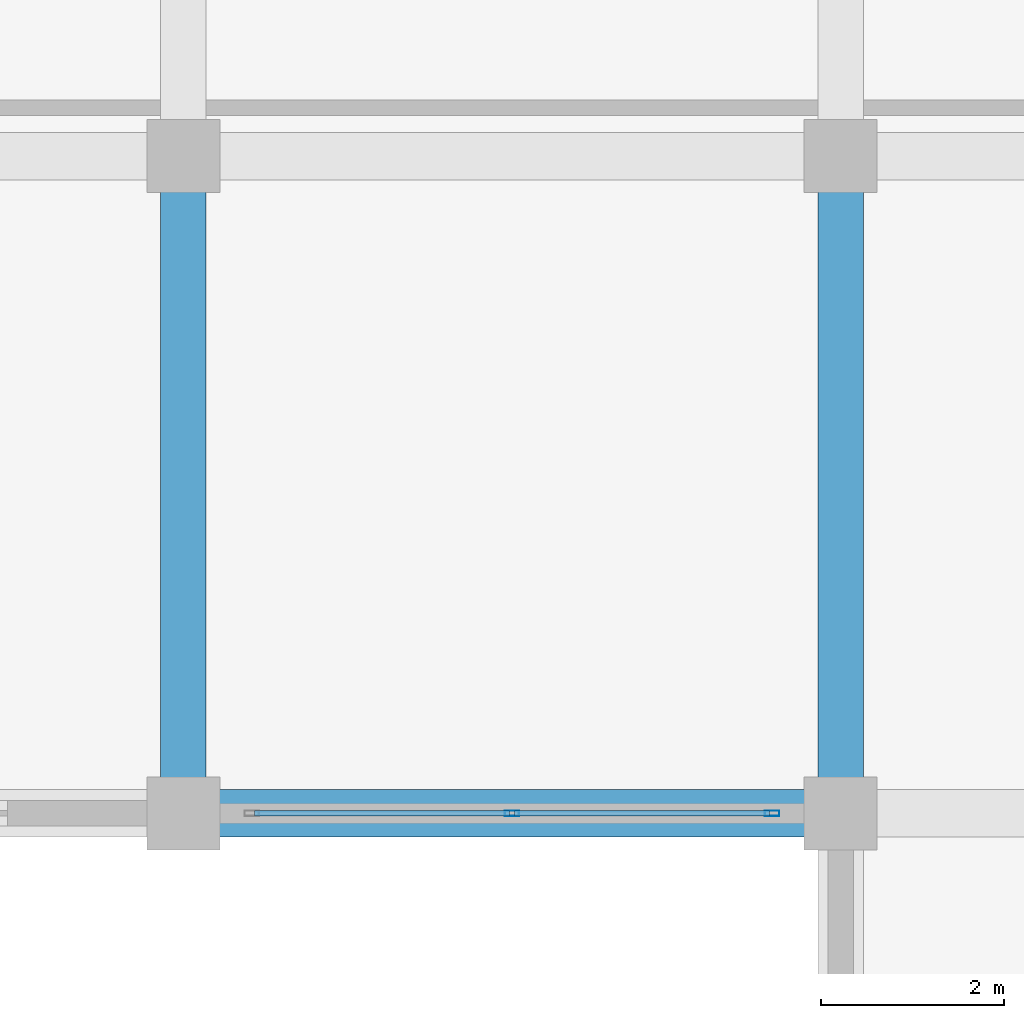
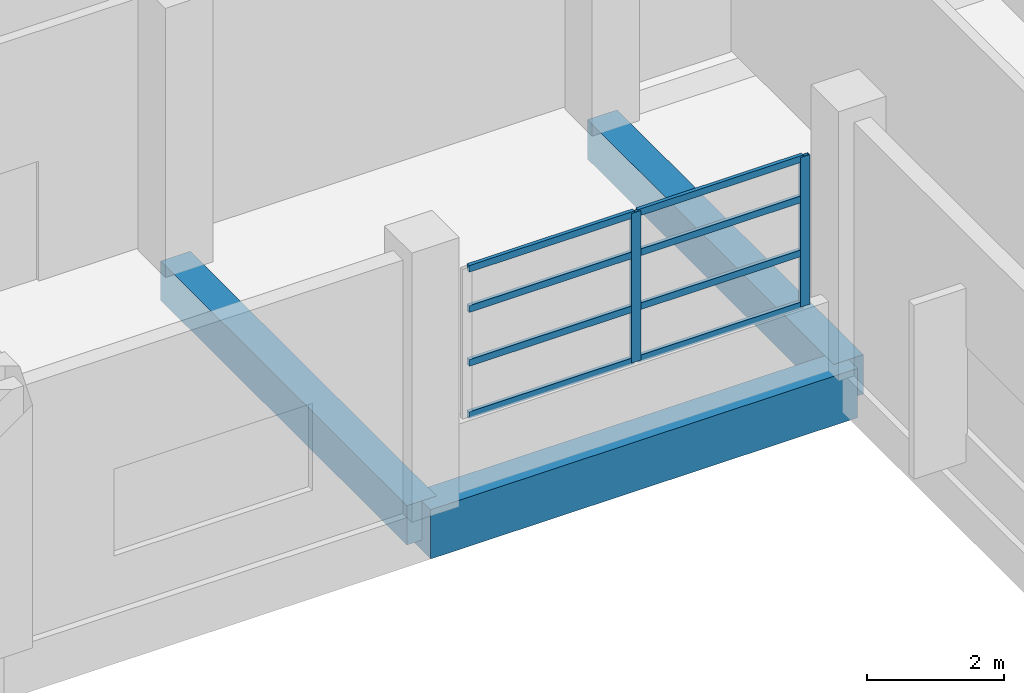
# One storey, part 69 of 140: 10 members, 3 beams, 1 element without a shape of its own.
"""IFC4 building model written with IfcOpenShell, lengths in metres."""

from ifc_helpers import new_model, si_unit, direction, frame, origin, origin_2d, place, context, subcontext, project, spatial, rectangle, hollow_rectangle, extrude, material, layer, layer_set, material_profile, profile_set, type_object, element, aggregate, save


model = new_model("IFC4")

# Units and contexts
model_context = context("Model", 3, precision=1e-05, world=origin(), true_north=direction((0.0, 1.0)))
body_context = subcontext(model_context, "Body", "Model", "MODEL_VIEW")
ifc_project = project(units=[si_unit("LENGTHUNIT", "METRE"), si_unit("AREAUNIT", "SQUARE_METRE"), si_unit("VOLUMEUNIT", "CUBIC_METRE"), si_unit("PLANEANGLEUNIT", "RADIAN"), si_unit("MASSUNIT", "GRAM", prefix="KILO")], contexts=[model_context])

# Site, building, storey
site_placement = place(None, origin())
site = spatial("IfcSite", under=ifc_project, at=site_placement, CompositionType="ELEMENT")
building_placement = place(site_placement, origin())
building = spatial("IfcBuilding", under=site, at=building_placement, Name="Seraya Terrace Polytechnic", CompositionType="ELEMENT")
storey_placement = place(building_placement, frame((0.0, 0.0, 9.60009765625)))
storey = spatial("IfcBuildingStorey", under=building, at=storey_placement, Name="L02", CompositionType="ELEMENT", Elevation=9.60009765625)

# Beams
ifc_material_1 = material(Name="Concrete C40/50", Category="concrete")
ifc_material_profile_1 = material_profile(ifc_material_1, rectangle(XDim=0.52001953125, YDim=0.8798828125, at=origin_2d()), Name="RC 520x880")
ifc_profile_set_1 = profile_set([ifc_material_profile_1], Name="Concrete C40/50")
beam_type_1 = type_object("IfcBeamType", Name="BM-04", PredefinedType="BEAM", material=ifc_profile_set_1)
beam_placement = place(storey_placement, frame((72.0, 64.800048828125, -0.440185546875), z_axis=(1.0, 0.0, 0.0), x_axis=(0.0, 1.0, 0.0)))
element("IfcBeam", 1, at=beam_placement, inside=storey, type_object=beam_type_1, Name="Beam BM-04 L02 X (72.0..79.2, 64.8)", PredefinedType="BEAM", context=body_context, shape_type="SweptSolid", body=[
    extrude(rectangle(XDim=0.52001953125, YDim=0.8798828125, at=origin_2d()), origin(), (0.0, 0.0, 1.0), 7.199951171875),
])
ifc_material_profile_2 = material_profile(ifc_material_1, rectangle(XDim=0.5, YDim=0.699951171875, at=origin_2d()), Name="RC 500x700")
ifc_profile_set_2 = profile_set([ifc_material_profile_2], Name="Concrete C40/50")
beam_type_2 = type_object("IfcBeamType", Name="BM-07", PredefinedType="BEAM", material=ifc_profile_set_2)
for number, where, z_axis, x_axis, name in (
    (2, (72.0, 64.800048828125, -0.35009765625), (0.0, 1.0, 0.0), (-1.0, 0.0, 0.0), "Beam BM-07 L02 Y (72.0, 64.8..72.0)"),
    (3, (79.199951171875, 64.800048828125, -0.35009765625), (0.0, 1.0, 0.0), (-1.0, 0.0, 0.0), "Beam BM-07 L02 Y (79.2, 64.8..72.0)"),
):
    element("IfcBeam", number, at=place(storey_placement, frame(where, z_axis=z_axis, x_axis=x_axis)), inside=storey, type_object=beam_type_2, Name=name, PredefinedType="BEAM", context=body_context, shape_type="SweptSolid", body=[
        extrude(rectangle(XDim=0.5, YDim=0.699951171875, at=origin_2d()), origin(), (0.0, 0.0, 1.0), 7.199951171875),
    ])

# Curtain wall, members
ifc_material_2 = material(Name="Anodised aluminium EN AW-6063 T6", Category="aluminium")
ifc_layer = layer(ifc_material_2, 0.179931640625, Name="CW-11")
ifc_layer_set = layer_set([ifc_layer], Name="Anodised aluminium EN AW-6063 T6")
curtain_wall_type = type_object("IfcCurtainWallType", Name="CW-11", PredefinedType="NOTDEFINED", material=ifc_layer_set)
curtain_wall_placement = place(storey_placement, origin())
curtain_wall = element("IfcCurtainWall", 4, at=curtain_wall_placement, inside=storey, type_object=curtain_wall_type, Name="Unitised curtain wall CW-11 (CW-L02-083)", PredefinedType="NOTDEFINED")
ifc_material_profile_3 = material_profile(ifc_material_2, hollow_rectangle(XDim=0.06005859375, YDim=0.159912109375, WallThickness=0.00341796875, at=origin_2d()), Name="RHS 160x60x3.5")
ifc_profile_set_3 = profile_set([ifc_material_profile_3], Name="Anodised aluminium EN AW-6063 T6")
member_type_1 = type_object("IfcMemberType", Name="CWM-02", PredefinedType="MULLION", material=ifc_profile_set_3)
member_1_placement = place(storey_placement, frame((78.449951171875, 64.800048828125, 1.239990234375), z_axis=(0.0, 0.0, 1.0), x_axis=(0.0, -1.0, 0.0)))
member_1 = element("IfcMember", 5, at=member_1_placement, type_object=member_type_1, Name="CW-11 mullion 1", PredefinedType="MULLION", context=body_context, shape_type="SweptSolid", body=[
    extrude(hollow_rectangle(XDim=0.06005859375, YDim=0.159912109375, WallThickness=0.00341796875, at=origin_2d()), origin(), (0.0, 0.0, 1.0), 2.669921875),
])
member_2_placement = place(storey_placement, frame((75.60009765625, 64.800048828125, 1.239990234375), z_axis=(0.0, 0.0, 1.0), x_axis=(0.0, -1.0, 0.0)))
member_2 = element("IfcMember", 6, at=member_2_placement, type_object=member_type_1, Name="CW-11 mullion 2", PredefinedType="MULLION", context=body_context, shape_type="SweptSolid", body=[
    extrude(hollow_rectangle(XDim=0.06005859375, YDim=0.159912109375, WallThickness=0.00341796875, at=origin_2d()), origin(), (0.0, 0.0, 1.0), 2.669921875),
])
ifc_material_profile_4 = material_profile(ifc_material_2, hollow_rectangle(XDim=0.06005859375, YDim=0.1201171875, WallThickness=0.003173828125, at=origin_2d()), Name="RHS 120x60x3.2")
ifc_profile_set_4 = profile_set([ifc_material_profile_4], Name="Anodised aluminium EN AW-6063 T6")
member_type_2 = type_object("IfcMemberType", Name="CWT-02", PredefinedType="USERDEFINED", material=ifc_profile_set_4)
member_3_placement = place(storey_placement, frame((78.419921875, 64.800048828125, 1.27001953125), z_axis=(-1.0, 0.0, 0.0), x_axis=(0.0, -1.0, 0.0)))
member_3 = element("IfcMember", 7, at=member_3_placement, type_object=member_type_2, Name="CW-11 transom 1.1", ObjectType="TRANSOM", PredefinedType="USERDEFINED", context=body_context, shape_type="SweptSolid", body=[
    extrude(hollow_rectangle(XDim=0.06005859375, YDim=0.1201171875, WallThickness=0.003173828125, at=origin_2d()), origin(), (0.0, 0.0, 1.0), 2.7900390625),
])
member_4_placement = place(storey_placement, frame((78.419921875, 64.800048828125, 2.201171875), z_axis=(-1.0, 0.0, 0.0), x_axis=(0.0, -1.0, 0.0)))
member_4 = element("IfcMember", 8, at=member_4_placement, type_object=member_type_2, Name="CW-11 transom 1.2", ObjectType="TRANSOM", PredefinedType="USERDEFINED", context=body_context, shape_type="SweptSolid", body=[
    extrude(hollow_rectangle(XDim=0.06005859375, YDim=0.1201171875, WallThickness=0.003173828125, at=origin_2d()), origin(), (0.0, 0.0, 1.0), 2.7900390625),
])
member_5_placement = place(storey_placement, frame((78.419921875, 64.800048828125, 3.162353515625), z_axis=(-1.0, 0.0, 0.0), x_axis=(0.0, -1.0, 0.0)))
member_5 = element("IfcMember", 9, at=member_5_placement, type_object=member_type_2, Name="CW-11 transom 1.3", ObjectType="TRANSOM", PredefinedType="USERDEFINED", context=body_context, shape_type="SweptSolid", body=[
    extrude(hollow_rectangle(XDim=0.06005859375, YDim=0.1201171875, WallThickness=0.003173828125, at=origin_2d()), origin(), (0.0, 0.0, 1.0), 2.7900390625),
])
member_6_placement = place(storey_placement, frame((78.419921875, 64.800048828125, 3.8798828125), z_axis=(-1.0, 0.0, 0.0), x_axis=(0.0, -1.0, 0.0)))
member_6 = element("IfcMember", 10, at=member_6_placement, type_object=member_type_2, Name="CW-11 transom 1.4", ObjectType="TRANSOM", PredefinedType="USERDEFINED", context=body_context, shape_type="SweptSolid", body=[
    extrude(hollow_rectangle(XDim=0.06005859375, YDim=0.1201171875, WallThickness=0.003173828125, at=origin_2d()), origin(), (0.0, 0.0, 1.0), 2.7900390625),
])
member_7_placement = place(storey_placement, frame((75.570068359375, 64.800048828125, 1.27001953125), z_axis=(-1.0, 0.0, 0.0), x_axis=(0.0, -1.0, 0.0)))
member_7 = element("IfcMember", 11, at=member_7_placement, type_object=member_type_2, Name="CW-11 transom 2.1", ObjectType="TRANSOM", PredefinedType="USERDEFINED", context=body_context, shape_type="SweptSolid", body=[
    extrude(hollow_rectangle(XDim=0.06005859375, YDim=0.1201171875, WallThickness=0.003173828125, at=origin_2d()), origin(), (0.0, 0.0, 1.0), 2.7900390625),
])
member_8_placement = place(storey_placement, frame((75.570068359375, 64.800048828125, 2.201171875), z_axis=(-1.0, 0.0, 0.0), x_axis=(0.0, -1.0, 0.0)))
member_8 = element("IfcMember", 12, at=member_8_placement, type_object=member_type_2, Name="CW-11 transom 2.2", ObjectType="TRANSOM", PredefinedType="USERDEFINED", context=body_context, shape_type="SweptSolid", body=[
    extrude(hollow_rectangle(XDim=0.06005859375, YDim=0.1201171875, WallThickness=0.003173828125, at=origin_2d()), origin(), (0.0, 0.0, 1.0), 2.7900390625),
])
member_9_placement = place(storey_placement, frame((75.570068359375, 64.800048828125, 3.162353515625), z_axis=(-1.0, 0.0, 0.0), x_axis=(0.0, -1.0, 0.0)))
member_9 = element("IfcMember", 13, at=member_9_placement, type_object=member_type_2, Name="CW-11 transom 2.3", ObjectType="TRANSOM", PredefinedType="USERDEFINED", context=body_context, shape_type="SweptSolid", body=[
    extrude(hollow_rectangle(XDim=0.06005859375, YDim=0.1201171875, WallThickness=0.003173828125, at=origin_2d()), origin(), (0.0, 0.0, 1.0), 2.7900390625),
])
member_10_placement = place(storey_placement, frame((75.570068359375, 64.800048828125, 3.8798828125), z_axis=(-1.0, 0.0, 0.0), x_axis=(0.0, -1.0, 0.0)))
member_10 = element("IfcMember", 14, at=member_10_placement, type_object=member_type_2, Name="CW-11 transom 2.4", ObjectType="TRANSOM", PredefinedType="USERDEFINED", context=body_context, shape_type="SweptSolid", body=[
    extrude(hollow_rectangle(XDim=0.06005859375, YDim=0.1201171875, WallThickness=0.003173828125, at=origin_2d()), origin(), (0.0, 0.0, 1.0), 2.7900390625),
])
aggregate(curtain_wall, [member_1, member_2, member_3, member_4, member_5, member_6, member_7, member_8, member_9, member_10])

save(model, "model.ifc")
